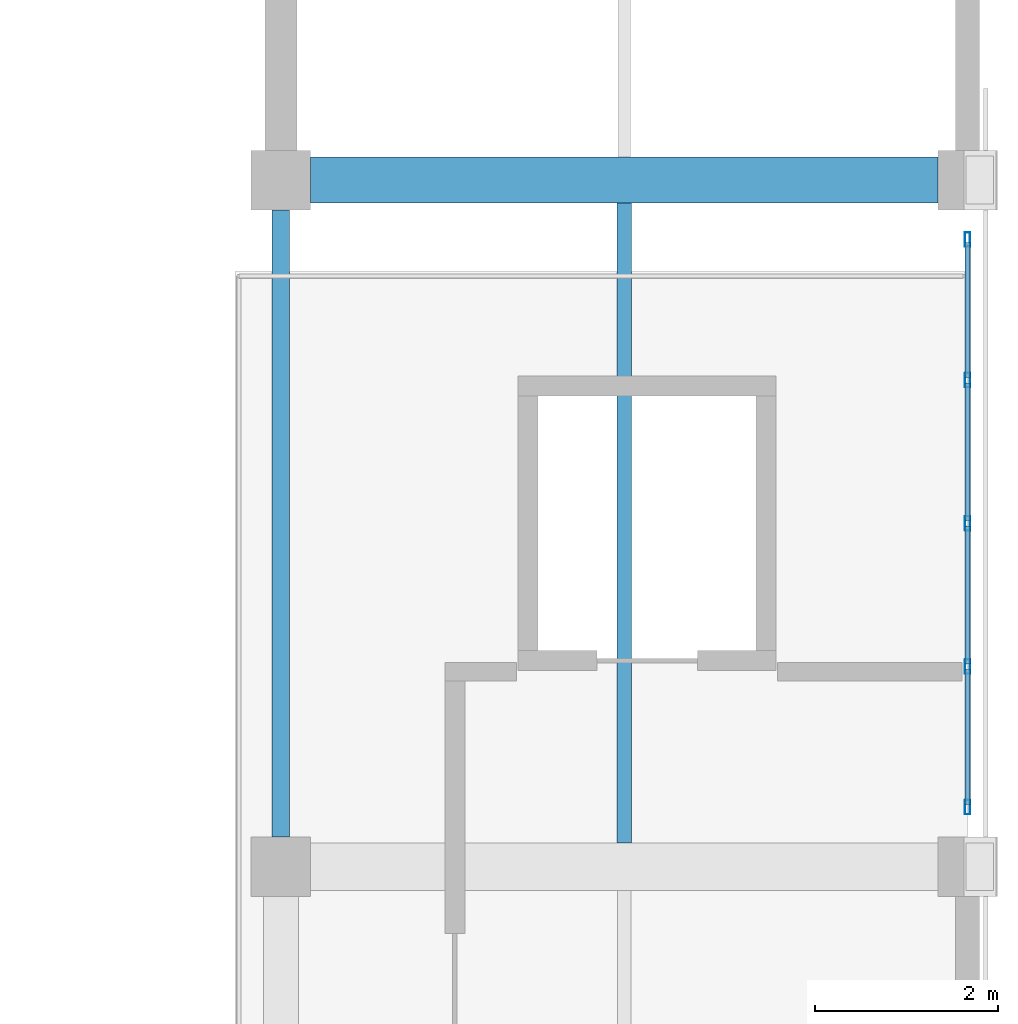
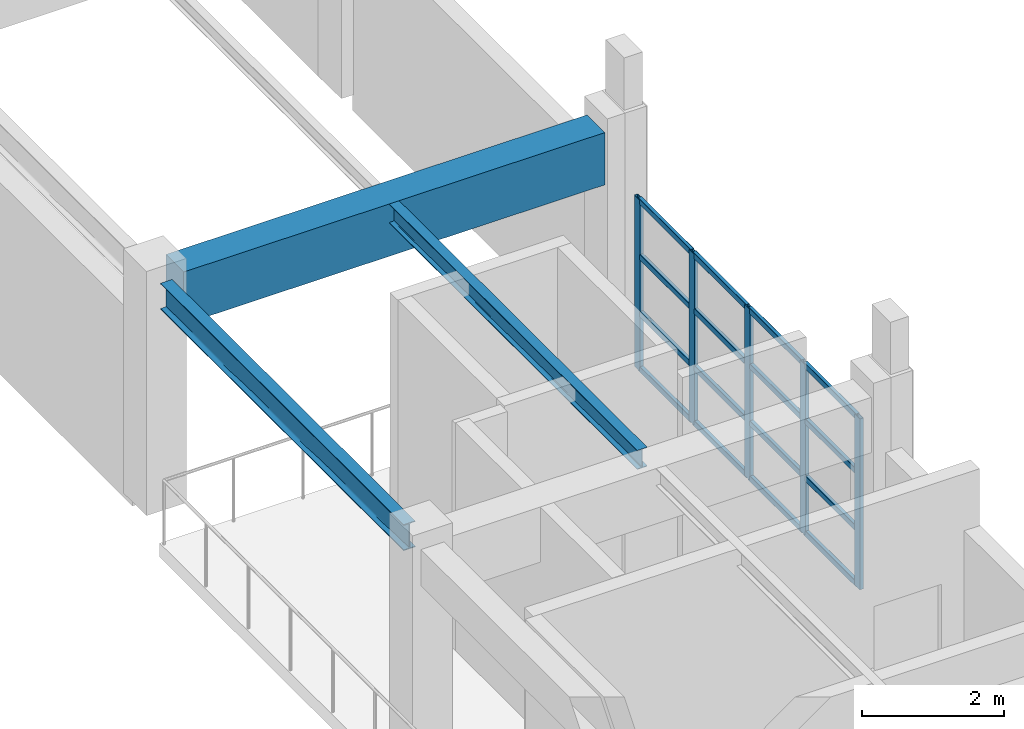
# One storey, part 22 of 51: 21 members, 3 beams, 1 element without a shape of its own.
"""IFC4 building model written with IfcOpenShell, lengths in metres."""

from ifc_helpers import new_model, si_unit, direction, frame, origin, origin_2d, place, context, subcontext, project, spatial, rectangle, hollow_rectangle, i_section, extrude, material, material_profile, profile_set, type_object, element, aggregate, save


model = new_model("IFC4")

# Units and contexts
model_context = context("Model", 3, precision=1e-05, world=origin(), true_north=direction((0.0, 1.0)))
body_context = subcontext(model_context, "Body", "Model", "MODEL_VIEW")
ifc_project = project(units=[si_unit("LENGTHUNIT", "METRE"), si_unit("AREAUNIT", "SQUARE_METRE"), si_unit("VOLUMEUNIT", "CUBIC_METRE"), si_unit("PLANEANGLEUNIT", "RADIAN"), si_unit("MASSUNIT", "GRAM", prefix="KILO")], contexts=[model_context])

# Site, building, storey
site_placement = place(None, origin())
site = spatial("IfcSite", under=ifc_project, at=site_placement, CompositionType="ELEMENT")
building_placement = place(site_placement, origin())
building = spatial("IfcBuilding", under=site, at=building_placement, Name="Qasida Concert Hall", CompositionType="ELEMENT")
storey_placement = place(building_placement, frame((0.0, 0.0, 21.0)))
storey = spatial("IfcBuildingStorey", under=building, at=storey_placement, Name="L05", CompositionType="ELEMENT", Elevation=21.0)

# Beams
ifc_material_1 = material(Name="Steel S355J2", Category="steel")
ifc_material_profile_1 = material_profile(ifc_material_1, i_section(OverallWidth=0.18994140625, OverallDepth=0.449951171875, WebThickness=0.009521484375, FlangeThickness=0.0146484375, FilletRadius=0.02099609375, at=origin_2d()), Name="IPE 450")
ifc_profile_set_1 = profile_set([ifc_material_profile_1], Name="Steel S355J2")
beam_type_1 = type_object("IfcBeamType", Name="BM-B5", PredefinedType="BEAM", material=ifc_profile_set_1)
beam_1_placement = place(storey_placement, frame((97.5, 52.824951171875, 3.695068359375), z_axis=(0.0, 1.0, 0.0), x_axis=(-1.0, 0.0, 0.0)))
element("IfcBeam", 1, at=beam_1_placement, inside=storey, type_object=beam_type_1, Name="L05 girder 2023", PredefinedType="BEAM", context=body_context, shape_type="SweptSolid", body=[
    extrude(i_section(OverallWidth=0.18994140625, OverallDepth=0.449951171875, WebThickness=0.009521484375, FlangeThickness=0.0146484375, FilletRadius=0.02099609375, at=origin_2d()), origin(), (0.0, 0.0, 1.0), 6.85009765625),
])
ifc_material_2 = material(Name="Concrete C40/50", Category="concrete")
ifc_material_profile_2 = material_profile(ifc_material_2, rectangle(XDim=0.5, YDim=0.89990234375, at=origin_2d()), Name="RC 500x900")
ifc_profile_set_2 = profile_set([ifc_material_profile_2], Name="Concrete C40/50")
beam_type_2 = type_object("IfcBeamType", Name="BM-G1", PredefinedType="USERDEFINED", material=ifc_profile_set_2)
beam_2_placement = place(storey_placement, frame((97.824951171875, 60.0, 3.469970703125), z_axis=(1.0, 0.0, 0.0), x_axis=(0.0, 1.0, 0.0)))
element("IfcBeam", 2, at=beam_2_placement, inside=storey, type_object=beam_type_2, Name="Primary girder 1999", ObjectType="GIRDER", PredefinedType="USERDEFINED", context=body_context, shape_type="SweptSolid", body=[
    extrude(rectangle(XDim=0.5, YDim=0.89990234375, at=origin_2d()), origin(), (0.0, 0.0, 1.0), 6.85009765625),
])
ifc_material_profile_3 = material_profile(ifc_material_1, i_section(OverallWidth=0.159912109375, OverallDepth=0.330078125, WebThickness=0.007568359375, FlangeThickness=0.011474609375, FilletRadius=0.01806640625, at=origin_2d()), Name="IPE 330")
ifc_profile_set_3 = profile_set([ifc_material_profile_3], Name="Steel S355J2")
beam_type_3 = type_object("IfcBeamType", Name="BM-J5", PredefinedType="JOIST", material=ifc_profile_set_3)
beam_3_placement = place(storey_placement, frame((101.25, 52.760009765625, 3.7548828125), z_axis=(0.0, 1.0, 0.0), x_axis=(-1.0, 0.0, 0.0)))
element("IfcBeam", 3, at=beam_3_placement, inside=storey, type_object=beam_type_3, Name="L05 secondary joist 2036", PredefinedType="JOIST", context=body_context, shape_type="SweptSolid", body=[
    extrude(i_section(OverallWidth=0.159912109375, OverallDepth=0.330078125, WebThickness=0.007568359375, FlangeThickness=0.011474609375, FilletRadius=0.01806640625, at=origin_2d()), origin(), (0.0, 0.0, 1.0), 6.989990234375),
])

# Curtain wall, members
ifc_material_3 = material(Name="Architectural bronze-anodized aluminium and low-E glass", Category="aluminium")
curtain_wall_type = type_object("IfcCurtainWallType", Name="CW-05", PredefinedType="NOTDEFINED", material=ifc_material_3)
curtain_wall_placement = place(storey_placement, origin())
curtain_wall = element("IfcCurtainWall", 4, at=curtain_wall_placement, inside=storey, type_object=curtain_wall_type, Name="L05 curtain wall CW-05 0067", PredefinedType="NOTDEFINED")
ifc_material_4 = material(Name="Architectural bronze-anodized aluminium EN AW-6063", Category="aluminium")
ifc_material_profile_4 = material_profile(ifc_material_4, hollow_rectangle(XDim=0.06005859375, YDim=0.159912109375, WallThickness=0.00390625, InnerFilletRadius=0.00390625, OuterFilletRadius=0.008056640625, at=origin_2d()), Name="CWM 160x60x4")
ifc_profile_set_4 = profile_set([ifc_material_profile_4], Name="Architectural bronze-anodized aluminium EN AW-6063")
member_type_1 = type_object("IfcMemberType", Name="MB-CWM-3", PredefinedType="MULLION", material=ifc_profile_set_4)
member_1_placement = place(storey_placement, frame((105.0, 53.14990234375, 0.0), z_axis=(0.0, 0.0, 1.0), x_axis=(-1.0, 0.0, 0.0)))
member_1 = element("IfcMember", 5, at=member_1_placement, type_object=member_type_1, Name="CW-05 mullion 1", PredefinedType="MULLION", context=body_context, shape_type="SweptSolid", body=[
    extrude(hollow_rectangle(XDim=0.06005859375, YDim=0.159912109375, WallThickness=0.00390625, InnerFilletRadius=0.00390625, OuterFilletRadius=0.008056640625, at=origin_2d()), origin(), (0.0, 0.0, 1.0), 2.93994140625),
])
member_2_placement = place(storey_placement, frame((105.0, 54.68505859375, 0.0), z_axis=(0.0, 0.0, 1.0), x_axis=(-1.0, 0.0, 0.0)))
member_2 = element("IfcMember", 6, at=member_2_placement, type_object=member_type_1, Name="CW-05 mullion 2", PredefinedType="MULLION", context=body_context, shape_type="SweptSolid", body=[
    extrude(hollow_rectangle(XDim=0.06005859375, YDim=0.159912109375, WallThickness=0.00390625, InnerFilletRadius=0.00390625, OuterFilletRadius=0.008056640625, at=origin_2d()), origin(), (0.0, 0.0, 1.0), 2.93994140625),
])
member_3_placement = place(storey_placement, frame((105.0, 56.25, 0.0), z_axis=(0.0, 0.0, 1.0), x_axis=(-1.0, 0.0, 0.0)))
member_3 = element("IfcMember", 7, at=member_3_placement, type_object=member_type_1, Name="CW-05 mullion 3", PredefinedType="MULLION", context=body_context, shape_type="SweptSolid", body=[
    extrude(hollow_rectangle(XDim=0.06005859375, YDim=0.159912109375, WallThickness=0.00390625, InnerFilletRadius=0.00390625, OuterFilletRadius=0.008056640625, at=origin_2d()), origin(), (0.0, 0.0, 1.0), 2.93994140625),
])
member_4_placement = place(storey_placement, frame((105.0, 57.81494140625, 0.0), z_axis=(0.0, 0.0, 1.0), x_axis=(-1.0, 0.0, 0.0)))
member_4 = element("IfcMember", 8, at=member_4_placement, type_object=member_type_1, Name="CW-05 mullion 4", PredefinedType="MULLION", context=body_context, shape_type="SweptSolid", body=[
    extrude(hollow_rectangle(XDim=0.06005859375, YDim=0.159912109375, WallThickness=0.00390625, InnerFilletRadius=0.00390625, OuterFilletRadius=0.008056640625, at=origin_2d()), origin(), (0.0, 0.0, 1.0), 2.93994140625),
])
member_5_placement = place(storey_placement, frame((105.0, 59.35009765625, 0.0), z_axis=(0.0, 0.0, 1.0), x_axis=(-1.0, 0.0, 0.0)))
member_5 = element("IfcMember", 9, at=member_5_placement, type_object=member_type_1, Name="CW-05 mullion 5", PredefinedType="MULLION", context=body_context, shape_type="SweptSolid", body=[
    extrude(hollow_rectangle(XDim=0.06005859375, YDim=0.159912109375, WallThickness=0.00390625, InnerFilletRadius=0.00390625, OuterFilletRadius=0.008056640625, at=origin_2d()), origin(), (0.0, 0.0, 1.0), 2.93994140625),
])
ifc_material_profile_5 = material_profile(ifc_material_4, hollow_rectangle(XDim=0.06005859375, YDim=0.10009765625, WallThickness=0.00341796875, InnerFilletRadius=0.00341796875, OuterFilletRadius=0.007080078125, at=origin_2d()), Name="CWT 100x60x3.5")
ifc_profile_set_5 = profile_set([ifc_material_profile_5], Name="Architectural bronze-anodized aluminium EN AW-6063")
member_type_2 = type_object("IfcMemberType", Name="MB-CWT-3", PredefinedType="USERDEFINED", material=ifc_profile_set_5)
member_6_placement = place(storey_placement, frame((105.0, 53.179931640625, 0.030029296875), z_axis=(0.0, 1.0, 0.0), x_axis=(-1.0, 0.0, 0.0)))
member_6 = element("IfcMember", 10, at=member_6_placement, type_object=member_type_2, Name="CW-05 transom 1.1", ObjectType="TRANSOM", PredefinedType="USERDEFINED", context=body_context, shape_type="SweptSolid", body=[
    extrude(hollow_rectangle(XDim=0.06005859375, YDim=0.10009765625, WallThickness=0.00341796875, InnerFilletRadius=0.00341796875, OuterFilletRadius=0.007080078125, at=origin_2d()), origin(), (0.0, 0.0, 1.0), 1.47509765625),
])
member_7_placement = place(storey_placement, frame((105.0, 53.179931640625, 0.97998046875), z_axis=(0.0, 1.0, 0.0), x_axis=(-1.0, 0.0, 0.0)))
member_7 = element("IfcMember", 11, at=member_7_placement, type_object=member_type_2, Name="CW-05 transom 1.2", ObjectType="TRANSOM", PredefinedType="USERDEFINED", context=body_context, shape_type="SweptSolid", body=[
    extrude(hollow_rectangle(XDim=0.06005859375, YDim=0.10009765625, WallThickness=0.00341796875, InnerFilletRadius=0.00341796875, OuterFilletRadius=0.007080078125, at=origin_2d()), origin(), (0.0, 0.0, 1.0), 1.47509765625),
])
member_8_placement = place(storey_placement, frame((105.0, 53.179931640625, 1.9599609375), z_axis=(0.0, 1.0, 0.0), x_axis=(-1.0, 0.0, 0.0)))
member_8 = element("IfcMember", 12, at=member_8_placement, type_object=member_type_2, Name="CW-05 transom 1.3", ObjectType="TRANSOM", PredefinedType="USERDEFINED", context=body_context, shape_type="SweptSolid", body=[
    extrude(hollow_rectangle(XDim=0.06005859375, YDim=0.10009765625, WallThickness=0.00341796875, InnerFilletRadius=0.00341796875, OuterFilletRadius=0.007080078125, at=origin_2d()), origin(), (0.0, 0.0, 1.0), 1.47509765625),
])
member_9_placement = place(storey_placement, frame((105.0, 53.179931640625, 2.909912109375), z_axis=(0.0, 1.0, 0.0), x_axis=(-1.0, 0.0, 0.0)))
member_9 = element("IfcMember", 13, at=member_9_placement, type_object=member_type_2, Name="CW-05 transom 1.4", ObjectType="TRANSOM", PredefinedType="USERDEFINED", context=body_context, shape_type="SweptSolid", body=[
    extrude(hollow_rectangle(XDim=0.06005859375, YDim=0.10009765625, WallThickness=0.00341796875, InnerFilletRadius=0.00341796875, OuterFilletRadius=0.007080078125, at=origin_2d()), origin(), (0.0, 0.0, 1.0), 1.47509765625),
])
member_10_placement = place(storey_placement, frame((105.0, 54.715087890625, 0.030029296875), z_axis=(0.0, 1.0, 0.0), x_axis=(-1.0, 0.0, 0.0)))
member_10 = element("IfcMember", 14, at=member_10_placement, type_object=member_type_2, Name="CW-05 transom 2.1", ObjectType="TRANSOM", PredefinedType="USERDEFINED", context=body_context, shape_type="SweptSolid", body=[
    extrude(hollow_rectangle(XDim=0.06005859375, YDim=0.10009765625, WallThickness=0.00341796875, InnerFilletRadius=0.00341796875, OuterFilletRadius=0.007080078125, at=origin_2d()), origin(), (0.0, 0.0, 1.0), 1.5048828125),
])
member_11_placement = place(storey_placement, frame((105.0, 54.715087890625, 0.97998046875), z_axis=(0.0, 1.0, 0.0), x_axis=(-1.0, 0.0, 0.0)))
member_11 = element("IfcMember", 15, at=member_11_placement, type_object=member_type_2, Name="CW-05 transom 2.2", ObjectType="TRANSOM", PredefinedType="USERDEFINED", context=body_context, shape_type="SweptSolid", body=[
    extrude(hollow_rectangle(XDim=0.06005859375, YDim=0.10009765625, WallThickness=0.00341796875, InnerFilletRadius=0.00341796875, OuterFilletRadius=0.007080078125, at=origin_2d()), origin(), (0.0, 0.0, 1.0), 1.5048828125),
])
member_12_placement = place(storey_placement, frame((105.0, 54.715087890625, 1.9599609375), z_axis=(0.0, 1.0, 0.0), x_axis=(-1.0, 0.0, 0.0)))
member_12 = element("IfcMember", 16, at=member_12_placement, type_object=member_type_2, Name="CW-05 transom 2.3", ObjectType="TRANSOM", PredefinedType="USERDEFINED", context=body_context, shape_type="SweptSolid", body=[
    extrude(hollow_rectangle(XDim=0.06005859375, YDim=0.10009765625, WallThickness=0.00341796875, InnerFilletRadius=0.00341796875, OuterFilletRadius=0.007080078125, at=origin_2d()), origin(), (0.0, 0.0, 1.0), 1.5048828125),
])
member_13_placement = place(storey_placement, frame((105.0, 54.715087890625, 2.909912109375), z_axis=(0.0, 1.0, 0.0), x_axis=(-1.0, 0.0, 0.0)))
member_13 = element("IfcMember", 17, at=member_13_placement, type_object=member_type_2, Name="CW-05 transom 2.4", ObjectType="TRANSOM", PredefinedType="USERDEFINED", context=body_context, shape_type="SweptSolid", body=[
    extrude(hollow_rectangle(XDim=0.06005859375, YDim=0.10009765625, WallThickness=0.00341796875, InnerFilletRadius=0.00341796875, OuterFilletRadius=0.007080078125, at=origin_2d()), origin(), (0.0, 0.0, 1.0), 1.5048828125),
])
member_14_placement = place(storey_placement, frame((105.0, 56.280029296875, 0.030029296875), z_axis=(0.0, 1.0, 0.0), x_axis=(-1.0, 0.0, 0.0)))
member_14 = element("IfcMember", 18, at=member_14_placement, type_object=member_type_2, Name="CW-05 transom 3.1", ObjectType="TRANSOM", PredefinedType="USERDEFINED", context=body_context, shape_type="SweptSolid", body=[
    extrude(hollow_rectangle(XDim=0.06005859375, YDim=0.10009765625, WallThickness=0.00341796875, InnerFilletRadius=0.00341796875, OuterFilletRadius=0.007080078125, at=origin_2d()), origin(), (0.0, 0.0, 1.0), 1.5048828125),
])
member_15_placement = place(storey_placement, frame((105.0, 56.280029296875, 0.97998046875), z_axis=(0.0, 1.0, 0.0), x_axis=(-1.0, 0.0, 0.0)))
member_15 = element("IfcMember", 19, at=member_15_placement, type_object=member_type_2, Name="CW-05 transom 3.2", ObjectType="TRANSOM", PredefinedType="USERDEFINED", context=body_context, shape_type="SweptSolid", body=[
    extrude(hollow_rectangle(XDim=0.06005859375, YDim=0.10009765625, WallThickness=0.00341796875, InnerFilletRadius=0.00341796875, OuterFilletRadius=0.007080078125, at=origin_2d()), origin(), (0.0, 0.0, 1.0), 1.5048828125),
])
member_16_placement = place(storey_placement, frame((105.0, 56.280029296875, 1.9599609375), z_axis=(0.0, 1.0, 0.0), x_axis=(-1.0, 0.0, 0.0)))
member_16 = element("IfcMember", 20, at=member_16_placement, type_object=member_type_2, Name="CW-05 transom 3.3", ObjectType="TRANSOM", PredefinedType="USERDEFINED", context=body_context, shape_type="SweptSolid", body=[
    extrude(hollow_rectangle(XDim=0.06005859375, YDim=0.10009765625, WallThickness=0.00341796875, InnerFilletRadius=0.00341796875, OuterFilletRadius=0.007080078125, at=origin_2d()), origin(), (0.0, 0.0, 1.0), 1.5048828125),
])
member_17_placement = place(storey_placement, frame((105.0, 56.280029296875, 2.909912109375), z_axis=(0.0, 1.0, 0.0), x_axis=(-1.0, 0.0, 0.0)))
member_17 = element("IfcMember", 21, at=member_17_placement, type_object=member_type_2, Name="CW-05 transom 3.4", ObjectType="TRANSOM", PredefinedType="USERDEFINED", context=body_context, shape_type="SweptSolid", body=[
    extrude(hollow_rectangle(XDim=0.06005859375, YDim=0.10009765625, WallThickness=0.00341796875, InnerFilletRadius=0.00341796875, OuterFilletRadius=0.007080078125, at=origin_2d()), origin(), (0.0, 0.0, 1.0), 1.5048828125),
])
member_18_placement = place(storey_placement, frame((105.0, 57.844970703125, 0.030029296875), z_axis=(0.0, 1.0, 0.0), x_axis=(-1.0, 0.0, 0.0)))
member_18 = element("IfcMember", 22, at=member_18_placement, type_object=member_type_2, Name="CW-05 transom 4.1", ObjectType="TRANSOM", PredefinedType="USERDEFINED", context=body_context, shape_type="SweptSolid", body=[
    extrude(hollow_rectangle(XDim=0.06005859375, YDim=0.10009765625, WallThickness=0.00341796875, InnerFilletRadius=0.00341796875, OuterFilletRadius=0.007080078125, at=origin_2d()), origin(), (0.0, 0.0, 1.0), 1.47509765625),
])
member_19_placement = place(storey_placement, frame((105.0, 57.844970703125, 0.97998046875), z_axis=(0.0, 1.0, 0.0), x_axis=(-1.0, 0.0, 0.0)))
member_19 = element("IfcMember", 23, at=member_19_placement, type_object=member_type_2, Name="CW-05 transom 4.2", ObjectType="TRANSOM", PredefinedType="USERDEFINED", context=body_context, shape_type="SweptSolid", body=[
    extrude(hollow_rectangle(XDim=0.06005859375, YDim=0.10009765625, WallThickness=0.00341796875, InnerFilletRadius=0.00341796875, OuterFilletRadius=0.007080078125, at=origin_2d()), origin(), (0.0, 0.0, 1.0), 1.47509765625),
])
member_20_placement = place(storey_placement, frame((105.0, 57.844970703125, 1.9599609375), z_axis=(0.0, 1.0, 0.0), x_axis=(-1.0, 0.0, 0.0)))
member_20 = element("IfcMember", 24, at=member_20_placement, type_object=member_type_2, Name="CW-05 transom 4.3", ObjectType="TRANSOM", PredefinedType="USERDEFINED", context=body_context, shape_type="SweptSolid", body=[
    extrude(hollow_rectangle(XDim=0.06005859375, YDim=0.10009765625, WallThickness=0.00341796875, InnerFilletRadius=0.00341796875, OuterFilletRadius=0.007080078125, at=origin_2d()), origin(), (0.0, 0.0, 1.0), 1.47509765625),
])
member_21_placement = place(storey_placement, frame((105.0, 57.844970703125, 2.909912109375), z_axis=(0.0, 1.0, 0.0), x_axis=(-1.0, 0.0, 0.0)))
member_21 = element("IfcMember", 25, at=member_21_placement, type_object=member_type_2, Name="CW-05 transom 4.4", ObjectType="TRANSOM", PredefinedType="USERDEFINED", context=body_context, shape_type="SweptSolid", body=[
    extrude(hollow_rectangle(XDim=0.06005859375, YDim=0.10009765625, WallThickness=0.00341796875, InnerFilletRadius=0.00341796875, OuterFilletRadius=0.007080078125, at=origin_2d()), origin(), (0.0, 0.0, 1.0), 1.47509765625),
])
aggregate(curtain_wall, [member_1, member_2, member_3, member_4, member_5, member_6, member_7, member_8, member_9, member_10, member_11, member_12, member_13, member_14, member_15, member_16, member_17, member_18, member_19, member_20, member_21])

save(model, "model.ifc")
